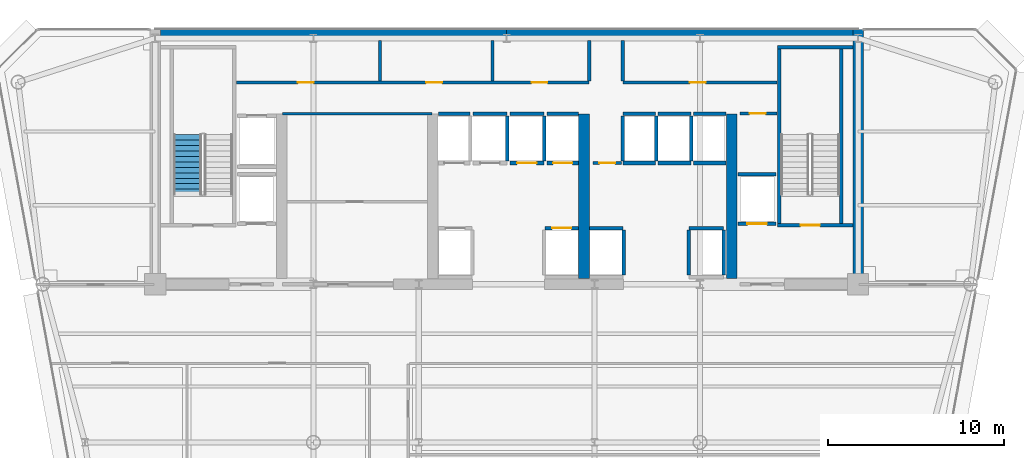
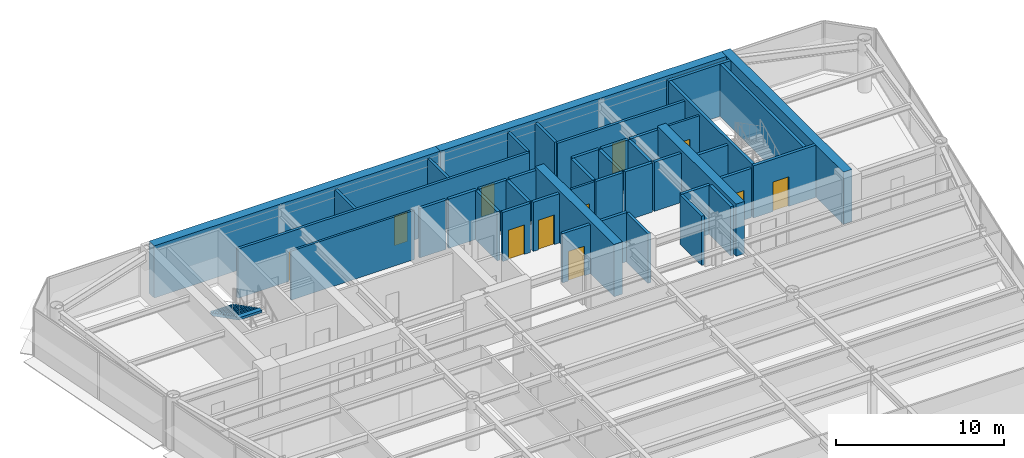
# One storey, part 11 of 16: 43 walls, 11 doors, 1 stair flight, 11 openings, 1 element without a shape of its own.
"""IFC4 building model written with IfcOpenShell, lengths in metres."""

from ifc_helpers import new_model, si_unit, direction, frame, frame_2d, origin, place, context, subcontext, project, spatial, polyline, rectangle, outline, extrude, source, transform, mapped, material, layer, layer_set, type_object, element, fill, aggregate, save


model = new_model("IFC4")

# Units and contexts
model_context = context("Model", 3, precision=1e-05, world=origin(), true_north=direction((0.0, 1.0)))
body_context = subcontext(model_context, "Body", "Model", "MODEL_VIEW")
ifc_project = project(units=[si_unit("LENGTHUNIT", "METRE"), si_unit("AREAUNIT", "SQUARE_METRE"), si_unit("VOLUMEUNIT", "CUBIC_METRE"), si_unit("PLANEANGLEUNIT", "RADIAN"), si_unit("MASSUNIT", "GRAM", prefix="KILO")], contexts=[model_context])

# Site, building, storey
site_placement = place(None, origin())
site = spatial("IfcSite", under=ifc_project, at=site_placement, CompositionType="ELEMENT")
building_placement = place(site_placement, origin())
building = spatial("IfcBuilding", under=site, at=building_placement, Name="Vaeldorn Concourse Tower", CompositionType="ELEMENT")
storey_placement = place(building_placement, frame((0.0, 0.0, 195.60009765625)))
storey = spatial("IfcBuildingStorey", under=building, at=storey_placement, Name="L50", CompositionType="ELEMENT", Elevation=195.60009765625)

# Walls
ifc_material_1 = material(Name="Concrete C50/60", Category="concrete")
ifc_layer_1 = layer(ifc_material_1, 0.60009765625)
ifc_layer_set_1 = layer_set([ifc_layer_1], Name="Concrete C50/60")
wall_type_1 = type_object("IfcWallType", Name="WL-CORE-600", PredefinedType="SHEAR", material=ifc_layer_set_1)
for number, where, z_axis, x_axis, name in (
    (1, (14.303955078125, 50.699951171875, 0.0), (0.0, 0.0, 1.0), (1.0, 0.0, 0.0), "Rear Core Shear Wall L50 N1"),
    (2, (34.001953125, 50.699951171875, 0.0), (0.0, 0.0, 1.0), (1.0, 0.0, 0.0), "Rear Core Shear Wall L50 N2"),
):
    element("IfcWall", number, at=place(storey_placement, frame(where, z_axis=z_axis, x_axis=x_axis)), inside=storey, type_object=wall_type_1, Name=name, PredefinedType="SHEAR", context=body_context, shape_type="SweptSolid", body=[
        extrude(rectangle(XDim=19.694091796875, YDim=0.60009765625, at=frame_2d((9.84716796875, 0.0))), origin(), (0.0, 0.0, 1.0), 3.7998046875),
    ])
wall_1_placement = place(storey_placement, frame((54.0, 36.5, 0.0), z_axis=(0.0, 0.0, 1.0), x_axis=(0.0, 1.0, 0.0)))
element("IfcWall", 3, at=wall_1_placement, inside=storey, type_object=wall_type_1, Name="Rear Core Shear Wall L50 E1", PredefinedType="SHEAR", context=body_context, shape_type="SweptSolid", body=[
    extrude(rectangle(XDim=14.5, YDim=0.60009765625, at=frame_2d((7.25, 0.0))), origin(), (0.0, 0.0, 1.0), 3.7998046875),
])
for number, where, z_axis, x_axis, name in (
    (4, (38.39990234375, 36.820068359375, 0.0), (0.0, 0.0, 1.0), (0.0, 1.0, 0.0), "Rear Core Shear Wall L50 M3"),
    (5, (46.800048828125, 36.820068359375, 0.0), (0.0, 0.0, 1.0), (0.0, 1.0, 0.0), "Rear Core Shear Wall L50 M4"),
):
    element("IfcWall", number, at=place(storey_placement, frame(where, z_axis=z_axis, x_axis=x_axis)), inside=storey, type_object=wall_type_1, Name=name, PredefinedType="SHEAR", context=body_context, shape_type="SweptSolid", body=[
        extrude(rectangle(XDim=9.3798828125, YDim=0.60009765625, at=frame_2d((4.68994140625, 0.0))), origin(), (0.0, 0.0, 1.0), 3.7998046875),
    ])
ifc_material_2 = material(Name="Gypsum Board Partition", Category="gypsum")
ifc_layer_2 = layer(ifc_material_2, 0.14990234375)
ifc_layer_set_2 = layer_set([ifc_layer_2], Name="Gypsum Board Partition")
wall_type_2 = type_object("IfcWallType", Name="WL-PART-150", PredefinedType="PARTITIONING", material=ifc_layer_set_2)
wall_2_placement = place(storey_placement, frame((21.25, 46.199951171875, 0.0), z_axis=(0.0, 0.0, 1.0), x_axis=(1.0, 0.0, 0.0)))
element("IfcWall", 6, at=wall_2_placement, inside=storey, type_object=wall_type_2, Name="Interior Wall CW-L50-R1N", PredefinedType="PARTITIONING", context=body_context, shape_type="SweptSolid", body=[
    extrude(rectangle(XDim=8.5, YDim=0.14990234375, at=frame_2d((4.25, 0.0))), origin(), (0.0, 0.0, 1.0), 3.579833984375),
])

# Wall, opening, door
wall_3_placement = place(storey_placement, frame((47.280029296875, 46.219970703125, 0.0), z_axis=(0.0, 0.0, 1.0), x_axis=(1.0, 0.0, 0.0)))
wall_3 = element("IfcWall", 7, at=wall_3_placement, inside=storey, type_object=wall_type_2, Name="Interior Wall CW-L50-CRSE-N", PredefinedType="PARTITIONING", context=body_context, shape_type="SweptSolid", body=[
    extrude(rectangle(XDim=2.099853515625, YDim=0.14990234375, at=frame_2d((1.0498046875, 0.0))), origin(), (0.0, 0.0, 1.0), 3.579833984375),
])
opening_1_placement = place(wall_3_placement, frame((0.550048828125, 0.0, 0.0)))
opening_1 = element("IfcOpeningElement", 8, at=opening_1_placement, cuts=wall_3, Name="Opening D-02", PredefinedType="OPENING", context=body_context, shape_type="SweptSolid", body=[
    extrude(rectangle(XDim=0.89990234375, YDim=2.10009765625, at=frame_2d((0.449951171875, 1.050048828125))), frame((0.0, 0.0849609375, 0.0), z_axis=(0.0, -1.0, 0.0), x_axis=(1.0, 0.0, 0.0)), (0.0, 0.0, 1.0), 0.169921875),
])
ifc_material_3 = material(Name="Fire-Rated Timber Leaf", Category="wood")
door_type_1 = type_object("IfcDoorType", Name="DR-FD30-900", OperationType="NOTDEFINED", PredefinedType="DOOR", material=ifc_material_3)
shared_shape_1 = source(origin(), body_context, "Body", "SweptSolid", [
    extrude(rectangle(XDim=0.89990234375, YDim=2.10009765625, at=frame_2d((0.449951171875, 1.050048828125))), frame((0.0, 0.02490234375, 0.0), z_axis=(0.0, -1.0, 0.0), x_axis=(1.0, 0.0, 0.0)), (0.0, 0.0, 1.0), 0.050048828125),
])
door_1_placement = place(opening_1_placement, origin())
door_1 = element("IfcDoor", 9, at=door_1_placement, inside=storey, type_object=door_type_1, Name="Interior Door DR-L50-CRSE", OperationType="SINGLE_SWING_RIGHT", OverallHeight=2.10009765625, OverallWidth=0.89990234375, PredefinedType="DOOR", context=body_context, shape_type="MappedRepresentation", body=[
    mapped(shared_shape_1, transform((0.0, 0.0, 0.0), scale=1.0)),
])
fill(opening_1, door_1)

wall_4_placement = place(storey_placement, frame((38.919921875, 43.39990234375, 0.0), z_axis=(0.0, 0.0, 1.0), x_axis=(1.0, 0.0, 0.0)))
wall_4 = element("IfcWall", 10, at=wall_4_placement, inside=storey, type_object=wall_type_2, Name="Interior Wall CW-L50-CCLINK", PredefinedType="PARTITIONING", context=body_context, shape_type="SweptSolid", body=[
    extrude(rectangle(XDim=1.60009765625, YDim=0.14990234375, at=frame_2d((0.800048828125, 0.0))), origin(), (0.0, 0.0, 1.0), 3.579833984375),
])
opening_2_placement = place(wall_4_placement, frame((0.35009765625, 0.0, 0.0)))
opening_2 = element("IfcOpeningElement", 11, at=opening_2_placement, cuts=wall_4, Name="Opening D-02", PredefinedType="OPENING", context=body_context, shape_type="SweptSolid", body=[
    extrude(rectangle(XDim=0.89990234375, YDim=2.10009765625, at=frame_2d((0.449951171875, 1.050048828125))), frame((0.0, 0.0849609375, 0.0), z_axis=(0.0, -1.0, 0.0), x_axis=(1.0, 0.0, 0.0)), (0.0, 0.0, 1.0), 0.169921875),
])
door_2_placement = place(opening_2_placement, origin())
door_2 = element("IfcDoor", 12, at=door_2_placement, inside=storey, type_object=door_type_1, Name="Interior Door DR-L50-CCLINK", OperationType="SINGLE_SWING_LEFT", OverallHeight=2.10009765625, OverallWidth=0.89990234375, PredefinedType="DOOR", context=body_context, shape_type="MappedRepresentation", body=[
    mapped(shared_shape_1, transform((0.0, 0.0, 0.0), scale=1.0)),
])
fill(opening_2, door_2)

# Wall, openings, doors
ifc_layer_3 = layer(ifc_material_2, 0.179931640625)
ifc_layer_set_3 = layer_set([ifc_layer_3], Name="Gypsum Board Partition")
wall_type_3 = type_object("IfcWallType", Name="WL-PLUMB-180", PredefinedType="PLUMBINGWALL", material=ifc_layer_set_3)
wall_5_placement = place(storey_placement, frame((18.6201171875, 47.97998046875, 0.0), z_axis=(0.0, 0.0, 1.0), x_axis=(1.0, 0.0, 0.0)))
wall_5 = element("IfcWall", 13, at=wall_5_placement, inside=storey, type_object=wall_type_3, Name="Interior Wall CW-L50-NS1W", PredefinedType="PLUMBINGWALL", context=body_context, shape_type="SweptSolid", body=[
    extrude(rectangle(XDim=20.059814453125, YDim=0.179931640625, at=frame_2d((10.02978515625, 0.0))), origin(), (0.0, 0.0, 1.0), 3.579833984375),
])
opening_3_placement = place(wall_5_placement, frame((3.5, 0.0, 0.0)))
opening_3 = element("IfcOpeningElement", 14, at=opening_3_placement, cuts=wall_5, Name="Opening D-03", PredefinedType="OPENING", context=body_context, shape_type="SweptSolid", body=[
    extrude(rectangle(XDim=0.89990234375, YDim=2.14990234375, at=frame_2d((0.449951171875, 1.074951171875))), frame((0.0, 0.10009765625, 0.0), z_axis=(0.0, -1.0, 0.0), x_axis=(1.0, 0.0, 0.0)), (0.0, 0.0, 1.0), 0.199951171875),
])
opening_4_placement = place(wall_5_placement, frame((10.800048828125, 0.0, 0.0)))
opening_4 = element("IfcOpeningElement", 15, at=opening_4_placement, cuts=wall_5, Name="Opening D-03", PredefinedType="OPENING", context=body_context, shape_type="SweptSolid", body=[
    extrude(rectangle(XDim=0.89990234375, YDim=2.14990234375, at=frame_2d((0.449951171875, 1.074951171875))), frame((0.0, 0.10009765625, 0.0), z_axis=(0.0, -1.0, 0.0), x_axis=(1.0, 0.0, 0.0)), (0.0, 0.0, 1.0), 0.199951171875),
])
opening_5_placement = place(wall_5_placement, frame((16.800048828125, 0.0, 0.0)))
opening_5 = element("IfcOpeningElement", 16, at=opening_5_placement, cuts=wall_5, Name="Opening D-03", PredefinedType="OPENING", context=body_context, shape_type="SweptSolid", body=[
    extrude(rectangle(XDim=0.89990234375, YDim=2.14990234375, at=frame_2d((0.449951171875, 1.074951171875))), frame((0.0, 0.10009765625, 0.0), z_axis=(0.0, -1.0, 0.0), x_axis=(1.0, 0.0, 0.0)), (0.0, 0.0, 1.0), 0.199951171875),
])
ifc_material_4 = material(Name="Acoustic Bronze-Framed Glass Door", Category="glass")
door_type_2 = type_object("IfcDoorType", Name="DR-INT-900", OperationType="NOTDEFINED", PredefinedType="DOOR", material=ifc_material_4)
shared_shape_2 = source(origin(), body_context, "Body", "SweptSolid", [
    extrude(rectangle(XDim=0.89990234375, YDim=2.14990234375, at=frame_2d((0.449951171875, 1.074951171875))), frame((0.0, 0.02490234375, 0.0), z_axis=(0.0, -1.0, 0.0), x_axis=(1.0, 0.0, 0.0)), (0.0, 0.0, 1.0), 0.050048828125),
])
door_3_placement = place(opening_3_placement, origin())
door_3 = element("IfcDoor", 17, at=door_3_placement, inside=storey, type_object=door_type_2, Name="Interior Door DR-L50-CS1", OperationType="SINGLE_SWING_LEFT", OverallHeight=2.14990234375, OverallWidth=0.89990234375, PredefinedType="DOOR", context=body_context, shape_type="MappedRepresentation", body=[
    mapped(shared_shape_2, transform((0.0, 0.0, 0.0), scale=1.0)),
])
fill(opening_3, door_3)
door_4_placement = place(opening_4_placement, origin())
door_4 = element("IfcDoor", 18, at=door_4_placement, inside=storey, type_object=door_type_2, Name="Interior Door DR-L50-CS2", OperationType="SINGLE_SWING_RIGHT", OverallHeight=2.14990234375, OverallWidth=0.89990234375, PredefinedType="DOOR", context=body_context, shape_type="MappedRepresentation", body=[
    mapped(shared_shape_2, transform((0.0, 0.0, 0.0), scale=1.0)),
])
fill(opening_4, door_4)
door_5_placement = place(opening_5_placement, origin())
door_5 = element("IfcDoor", 19, at=door_5_placement, inside=storey, type_object=door_type_2, Name="Interior Door DR-L50-CS3", OperationType="SINGLE_SWING_LEFT", OverallHeight=2.14990234375, OverallWidth=0.89990234375, PredefinedType="DOOR", context=body_context, shape_type="MappedRepresentation", body=[
    mapped(shared_shape_2, transform((0.0, 0.0, 0.0), scale=1.0)),
])
fill(opening_5, door_5)

# Wall, opening, door
wall_6_placement = place(storey_placement, frame((40.6201171875, 47.97998046875, 0.0), z_axis=(0.0, 0.0, 1.0), x_axis=(1.0, 0.0, 0.0)))
wall_6 = element("IfcWall", 20, at=wall_6_placement, inside=storey, type_object=wall_type_3, Name="Interior Wall CW-L50-NS1E", PredefinedType="PLUMBINGWALL", context=body_context, shape_type="SweptSolid", body=[
    extrude(rectangle(XDim=8.759765625, YDim=0.179931640625, at=frame_2d((4.3798828125, 0.0))), origin(), (0.0, 0.0, 1.0), 3.579833984375),
])
opening_6_placement = place(wall_6_placement, frame((3.800048828125, 0.0, 0.0)))
opening_6 = element("IfcOpeningElement", 21, at=opening_6_placement, cuts=wall_6, Name="Opening D-03", PredefinedType="OPENING", context=body_context, shape_type="SweptSolid", body=[
    extrude(rectangle(XDim=0.89990234375, YDim=2.14990234375, at=frame_2d((0.449951171875, 1.074951171875))), frame((0.0, 0.10009765625, 0.0), z_axis=(0.0, -1.0, 0.0), x_axis=(1.0, 0.0, 0.0)), (0.0, 0.0, 1.0), 0.199951171875),
])
door_6_placement = place(opening_6_placement, origin())
door_6 = element("IfcDoor", 22, at=door_6_placement, inside=storey, type_object=door_type_2, Name="Interior Door DR-L50-CS4", OperationType="SINGLE_SWING_RIGHT", OverallHeight=2.14990234375, OverallWidth=0.89990234375, PredefinedType="DOOR", context=body_context, shape_type="MappedRepresentation", body=[
    mapped(shared_shape_2, transform((0.0, 0.0, 0.0), scale=1.0)),
])
fill(opening_6, door_6)

# Walls
for number, where, z_axis, x_axis, name in (
    (23, (26.800048828125, 48.06005859375, 0.0), (0.0, 0.0, 1.0), (0.0, 1.0, 0.0), "Interior Wall CW-L50-NDIV1"),
    (24, (33.199951171875, 48.06005859375, 0.0), (0.0, 0.0, 1.0), (0.0, 1.0, 0.0), "Interior Wall CW-L50-NDIV2"),
    (25, (38.699951171875, 48.06005859375, 0.0), (0.0, 0.0, 1.0), (0.0, 1.0, 0.0), "Interior Wall CW-L50-NDIV3"),
    (26, (40.60009765625, 48.06005859375, 0.0), (0.0, 0.0, 1.0), (0.0, 1.0, 0.0), "Interior Wall CW-L50-NDIV4"),
):
    element("IfcWall", number, at=place(storey_placement, frame(where, z_axis=z_axis, x_axis=x_axis)), inside=storey, type_object=wall_type_3, Name=name, PredefinedType="PLUMBINGWALL", context=body_context, shape_type="SweptSolid", body=[
        extrude(rectangle(XDim=2.31982421875, YDim=0.179931640625, at=frame_2d((1.159912109375, 0.0))), origin(), (0.0, 0.0, 1.0), 3.579833984375),
    ])

# Wall, opening, door
ifc_layer_4 = layer(ifc_material_1, 0.199951171875)
ifc_layer_set_4 = layer_set([ifc_layer_4], Name="Concrete C50/60")
wall_type_4 = type_object("IfcWallType", Name="WL-SHAFT-200", PredefinedType="SOLIDWALL", material=ifc_layer_set_4)
wall_7_placement = place(storey_placement, frame((49.39990234375, 39.85009765625, 0.0), z_axis=(0.0, 0.0, 1.0), x_axis=(1.0, 0.0, 0.0)))
wall_7 = element("IfcWall", 27, at=wall_7_placement, inside=storey, type_object=wall_type_4, Name="Stair Shaft Wall CW-L50-ST-2-S", PredefinedType="SOLIDWALL", context=body_context, shape_type="SweptSolid", body=[
    extrude(rectangle(XDim=4.300048828125, YDim=0.199951171875, at=frame_2d((2.14990234375, 0.0))), origin(), (0.0, 0.0, 1.0), 3.7998046875),
])
opening_7_placement = place(wall_7_placement, frame((1.324951171875, 0.0, 0.0)))
opening_7 = element("IfcOpeningElement", 28, at=opening_7_placement, cuts=wall_7, Name="Opening D-01", PredefinedType="OPENING", context=body_context, shape_type="SweptSolid", body=[
    extrude(rectangle(XDim=1.10009765625, YDim=2.14990234375, at=frame_2d((0.550048828125, 1.074951171875))), frame((0.0, 0.10986328125, 0.0), z_axis=(0.0, -1.0, 0.0), x_axis=(1.0, 0.0, 0.0)), (0.0, 0.0, 1.0), 0.219970703125),
])
ifc_material_5 = material(Name="Fire-Rated Timber and Steel Leaf", Category="steel")
door_type_3 = type_object("IfcDoorType", Name="DR-FD60-1100", OperationType="NOTDEFINED", PredefinedType="DOOR", material=ifc_material_5)
shared_shape_3 = source(origin(), body_context, "Body", "SweptSolid", [
    extrude(rectangle(XDim=1.10009765625, YDim=2.14990234375, at=frame_2d((0.550048828125, 1.074951171875))), frame((0.0, 0.02490234375, 0.0), z_axis=(0.0, -1.0, 0.0), x_axis=(1.0, 0.0, 0.0)), (0.0, 0.0, 1.0), 0.050048828125),
])
door_7_placement = place(opening_7_placement, origin())
door_7 = element("IfcDoor", 29, at=door_7_placement, inside=storey, type_object=door_type_3, Name="Interior Door DR-L50-ST-2", OperationType="SINGLE_SWING_RIGHT", OverallHeight=2.14990234375, OverallWidth=1.10009765625, PredefinedType="DOOR", context=body_context, shape_type="MappedRepresentation", body=[
    mapped(shared_shape_3, transform((0.0, 0.0, 0.0), scale=1.0)),
])
fill(opening_7, door_7)

# Walls
wall_8_placement = place(storey_placement, frame((49.39990234375, 50.0, 0.0), z_axis=(0.0, 0.0, 1.0), x_axis=(1.0, 0.0, 0.0)))
element("IfcWall", 30, at=wall_8_placement, inside=storey, type_object=wall_type_4, Name="Stair Shaft Wall CW-L50-ST-2-N", PredefinedType="SOLIDWALL", context=body_context, shape_type="SweptSolid", body=[
    extrude(rectangle(XDim=4.300048828125, YDim=0.199951171875, at=frame_2d((2.14990234375, 0.0))), origin(), (0.0, 0.0, 1.0), 3.7998046875),
])
for number, where, z_axis, x_axis, name in (
    (31, (49.5, 39.9599609375, 0.0), (0.0, 0.0, 1.0), (0.0, 1.0, 0.0), "Stair Shaft Wall CW-L50-ST-2-W"),
    (32, (53.050048828125, 39.9599609375, 0.0), (0.0, 0.0, 1.0), (0.0, 1.0, 0.0), "Stair Shaft Wall CW-L50-ST-2-E"),
):
    element("IfcWall", number, at=place(storey_placement, frame(where, z_axis=z_axis, x_axis=x_axis)), inside=storey, type_object=wall_type_4, Name=name, PredefinedType="SOLIDWALL", context=body_context, shape_type="SweptSolid", body=[
        extrude(rectangle(XDim=9.929931640625, YDim=0.199951171875, at=frame_2d((4.96484375, 0.0))), origin(), (0.0, 0.0, 1.0), 3.7998046875),
    ])

# Wall, opening, door
wall_9_placement = place(storey_placement, frame((36.169921875, 39.699951171875, 0.0), z_axis=(0.0, 0.0, 1.0), x_axis=(1.0, 0.0, 0.0)))
wall_9 = element("IfcWall", 33, at=wall_9_placement, inside=storey, type_object=wall_type_4, Name="Interior Wall CW-L50-LF-LF-08", PredefinedType="SOLIDWALL", context=body_context, shape_type="SweptSolid", body=[
    extrude(rectangle(XDim=1.920166015625, YDim=0.199951171875, at=frame_2d((0.9599609375, 0.0))), origin(), (0.0, 0.0, 1.0), 3.579833984375),
])
opening_8_placement = place(wall_9_placement, frame((0.409912109375, 0.0, 0.0)))
opening_8 = element("IfcOpeningElement", 34, at=opening_8_placement, cuts=wall_9, Name="Opening LD-1", PredefinedType="OPENING", context=body_context, shape_type="SweptSolid", body=[
    extrude(rectangle(XDim=1.10009765625, YDim=2.14990234375, at=frame_2d((0.550048828125, 1.074951171875))), frame((0.0, 0.10986328125, 0.0), z_axis=(0.0, -1.0, 0.0), x_axis=(1.0, 0.0, 0.0)), (0.0, 0.0, 1.0), 0.219970703125),
])
ifc_material_6 = material(Name="Anodised Bronze Aluminium", Category="aluminium")
door_type_4 = type_object("IfcDoorType", Name="DR-LIFT-SLIDE-1100", OperationType="DOUBLE_DOOR_SLIDING", PredefinedType="DOOR", material=ifc_material_6)
door_8_placement = place(opening_8_placement, origin())
door_8 = element("IfcDoor", 35, at=door_8_placement, inside=storey, type_object=door_type_4, Name="Lift Landing Door LD-L50-LF-08", OperationType="DOUBLE_DOOR_SLIDING", OverallHeight=2.14990234375, OverallWidth=1.10009765625, PredefinedType="DOOR", context=body_context, shape_type="MappedRepresentation", body=[
    mapped(shared_shape_3, transform((0.0, 0.0, 0.0), scale=1.0)),
])
fill(opening_8, door_8)

# Walls
wall_10_placement = place(storey_placement, frame((30.110107421875, 46.199951171875, 0.0), z_axis=(0.0, 0.0, 1.0), x_axis=(1.0, 0.0, 0.0)))
element("IfcWall", 36, at=wall_10_placement, inside=storey, type_object=wall_type_4, Name="Interior Wall CW-L50-LFB-LF-09", PredefinedType="SOLIDWALL", context=body_context, shape_type="SweptSolid", body=[
    extrude(rectangle(XDim=1.7998046875, YDim=0.199951171875, at=frame_2d((0.89990234375, 0.0))), origin(), (0.0, 0.0, 1.0), 3.579833984375),
])
wall_11_placement = place(storey_placement, frame((32.090087890625, 46.199951171875, 0.0), z_axis=(0.0, 0.0, 1.0), x_axis=(1.0, 0.0, 0.0)))
element("IfcWall", 37, at=wall_11_placement, inside=storey, type_object=wall_type_4, Name="Interior Wall CW-L50-LFB-LF-10", PredefinedType="SOLIDWALL", context=body_context, shape_type="SweptSolid", body=[
    extrude(rectangle(XDim=1.919921875, YDim=0.199951171875, at=frame_2d((0.9599609375, 0.0))), origin(), (0.0, 0.0, 1.0), 3.579833984375),
])
wall_12_placement = place(storey_placement, frame((34.030029296875, 43.52001953125, 0.0), z_axis=(0.0, 0.0, 1.0), x_axis=(0.0, 1.0, 0.0)))
element("IfcWall", 38, at=wall_12_placement, inside=storey, type_object=wall_type_4, Name="Interior Wall CW-L50-LFE-LF-10", PredefinedType="SOLIDWALL", context=body_context, shape_type="SweptSolid", body=[
    extrude(rectangle(XDim=2.56005859375, YDim=0.199951171875, at=frame_2d((1.280029296875, 0.0))), origin(), (0.0, 0.0, 1.0), 3.579833984375),
])

# Wall, opening, door
wall_13_placement = place(storey_placement, frame((34.18994140625, 43.39990234375, 0.0), z_axis=(0.0, 0.0, 1.0), x_axis=(1.0, 0.0, 0.0)))
wall_13 = element("IfcWall", 39, at=wall_13_placement, inside=storey, type_object=wall_type_4, Name="Interior Wall CW-L50-LF-LF-11", PredefinedType="SOLIDWALL", context=body_context, shape_type="SweptSolid", body=[
    extrude(rectangle(XDim=1.920166015625, YDim=0.199951171875, at=frame_2d((0.9599609375, 0.0))), origin(), (0.0, 0.0, 1.0), 3.579833984375),
])
opening_9_placement = place(wall_13_placement, frame((0.409912109375, 0.0, 0.0)))
opening_9 = element("IfcOpeningElement", 40, at=opening_9_placement, cuts=wall_13, Name="Opening LD-1", PredefinedType="OPENING", context=body_context, shape_type="SweptSolid", body=[
    extrude(rectangle(XDim=1.10009765625, YDim=2.14990234375, at=frame_2d((0.550048828125, 1.074951171875))), frame((0.0, 0.10986328125, 0.0), z_axis=(0.0, -1.0, 0.0), x_axis=(1.0, 0.0, 0.0)), (0.0, 0.0, 1.0), 0.219970703125),
])
door_9_placement = place(opening_9_placement, origin())
door_9 = element("IfcDoor", 41, at=door_9_placement, inside=storey, type_object=door_type_4, Name="Lift Landing Door LD-L50-LF-11", OperationType="DOUBLE_DOOR_SLIDING", OverallHeight=2.14990234375, OverallWidth=1.10009765625, PredefinedType="DOOR", context=body_context, shape_type="MappedRepresentation", body=[
    mapped(shared_shape_3, transform((0.0, 0.0, 0.0), scale=1.0)),
])
fill(opening_9, door_9)

# Walls
wall_14_placement = place(storey_placement, frame((34.18994140625, 46.199951171875, 0.0), z_axis=(0.0, 0.0, 1.0), x_axis=(1.0, 0.0, 0.0)))
element("IfcWall", 42, at=wall_14_placement, inside=storey, type_object=wall_type_4, Name="Interior Wall CW-L50-LFB-LF-11", PredefinedType="SOLIDWALL", context=body_context, shape_type="SweptSolid", body=[
    extrude(rectangle(XDim=1.920166015625, YDim=0.199951171875, at=frame_2d((0.9599609375, 0.0))), origin(), (0.0, 0.0, 1.0), 3.579833984375),
])
wall_15_placement = place(storey_placement, frame((36.1298828125, 43.52001953125, 0.0), z_axis=(0.0, 0.0, 1.0), x_axis=(0.0, 1.0, 0.0)))
element("IfcWall", 43, at=wall_15_placement, inside=storey, type_object=wall_type_4, Name="Interior Wall CW-L50-LFE-LF-11", PredefinedType="SOLIDWALL", context=body_context, shape_type="SweptSolid", body=[
    extrude(rectangle(XDim=2.56005859375, YDim=0.199951171875, at=frame_2d((1.280029296875, 0.0))), origin(), (0.0, 0.0, 1.0), 3.579833984375),
])

# Wall, opening, door
wall_16_placement = place(storey_placement, frame((36.2900390625, 43.39990234375, 0.0), z_axis=(0.0, 0.0, 1.0), x_axis=(1.0, 0.0, 0.0)))
wall_16 = element("IfcWall", 44, at=wall_16_placement, inside=storey, type_object=wall_type_4, Name="Interior Wall CW-L50-LF-LF-12", PredefinedType="SOLIDWALL", context=body_context, shape_type="SweptSolid", body=[
    extrude(rectangle(XDim=1.800048828125, YDim=0.199951171875, at=frame_2d((0.89990234375, 0.0))), origin(), (0.0, 0.0, 1.0), 3.579833984375),
])
opening_10_placement = place(wall_16_placement, frame((0.35009765625, 0.0, 0.0)))
opening_10 = element("IfcOpeningElement", 45, at=opening_10_placement, cuts=wall_16, Name="Opening LD-1", PredefinedType="OPENING", context=body_context, shape_type="SweptSolid", body=[
    extrude(rectangle(XDim=1.10009765625, YDim=2.14990234375, at=frame_2d((0.550048828125, 1.074951171875))), frame((0.0, 0.10986328125, 0.0), z_axis=(0.0, -1.0, 0.0), x_axis=(1.0, 0.0, 0.0)), (0.0, 0.0, 1.0), 0.219970703125),
])
door_10_placement = place(opening_10_placement, origin())
door_10 = element("IfcDoor", 46, at=door_10_placement, inside=storey, type_object=door_type_4, Name="Lift Landing Door LD-L50-LF-12", OperationType="DOUBLE_DOOR_SLIDING", OverallHeight=2.14990234375, OverallWidth=1.10009765625, PredefinedType="DOOR", context=body_context, shape_type="MappedRepresentation", body=[
    mapped(shared_shape_3, transform((0.0, 0.0, 0.0), scale=1.0)),
])
fill(opening_10, door_10)

# Walls
wall_17_placement = place(storey_placement, frame((36.2900390625, 46.199951171875, 0.0), z_axis=(0.0, 0.0, 1.0), x_axis=(1.0, 0.0, 0.0)))
element("IfcWall", 47, at=wall_17_placement, inside=storey, type_object=wall_type_4, Name="Interior Wall CW-L50-LFB-LF-12", PredefinedType="SOLIDWALL", context=body_context, shape_type="SweptSolid", body=[
    extrude(rectangle(XDim=1.800048828125, YDim=0.199951171875, at=frame_2d((0.89990234375, 0.0))), origin(), (0.0, 0.0, 1.0), 3.579833984375),
])
wall_18_placement = place(storey_placement, frame((38.7099609375, 39.699951171875, 0.0), z_axis=(0.0, 0.0, 1.0), x_axis=(1.0, 0.0, 0.0)))
element("IfcWall", 48, at=wall_18_placement, inside=storey, type_object=wall_type_4, Name="Interior Wall CW-L50-LF-LF-13", PredefinedType="SOLIDWALL", context=body_context, shape_type="SweptSolid", body=[
    extrude(rectangle(XDim=1.919921875, YDim=0.199951171875, at=frame_2d((0.9599609375, 0.0))), origin(), (0.0, 0.0, 1.0), 3.579833984375),
])
wall_19_placement = place(storey_placement, frame((40.64990234375, 37.02001953125, 0.0), z_axis=(0.0, 0.0, 1.0), x_axis=(0.0, 1.0, 0.0)))
element("IfcWall", 49, at=wall_19_placement, inside=storey, type_object=wall_type_4, Name="Interior Wall CW-L50-LFE-LF-13", PredefinedType="SOLIDWALL", context=body_context, shape_type="SweptSolid", body=[
    extrude(rectangle(XDim=2.56005859375, YDim=0.199951171875, at=frame_2d((1.280029296875, 0.0))), origin(), (0.0, 0.0, 1.0), 3.579833984375),
])
wall_20_placement = place(storey_placement, frame((44.3701171875, 39.699951171875, 0.0), z_axis=(0.0, 0.0, 1.0), x_axis=(1.0, 0.0, 0.0)))
element("IfcWall", 50, at=wall_20_placement, inside=storey, type_object=wall_type_4, Name="Interior Wall CW-L50-LF-LF-14", PredefinedType="SOLIDWALL", context=body_context, shape_type="SweptSolid", body=[
    extrude(rectangle(XDim=1.9599609375, YDim=0.199951171875, at=frame_2d((0.97998046875, 0.0))), origin(), (0.0, 0.0, 1.0), 3.579833984375),
])
for number, where, z_axis, x_axis, name in (
    (51, (44.35009765625, 37.02001953125, 0.0), (0.0, 0.0, 1.0), (0.0, 1.0, 0.0), "Interior Wall CW-L50-LFW-LF-14"),
    (52, (46.35009765625, 37.02001953125, 0.0), (0.0, 0.0, 1.0), (0.0, 1.0, 0.0), "Interior Wall CW-L50-LFE-LF-14"),
):
    element("IfcWall", number, at=place(storey_placement, frame(where, z_axis=z_axis, x_axis=x_axis)), inside=storey, type_object=wall_type_4, Name=name, PredefinedType="SOLIDWALL", context=body_context, shape_type="SweptSolid", body=[
        extrude(rectangle(XDim=2.56005859375, YDim=0.199951171875, at=frame_2d((1.280029296875, 0.0))), origin(), (0.0, 0.0, 1.0), 3.579833984375),
    ])
for number, where, z_axis, x_axis, name in (
    (53, (40.6201171875, 43.39990234375, 0.0), (0.0, 0.0, 1.0), (1.0, 0.0, 0.0), "Interior Wall CW-L50-LF-LF-15"),
    (54, (40.6201171875, 46.199951171875, 0.0), (0.0, 0.0, 1.0), (1.0, 0.0, 0.0), "Interior Wall CW-L50-LFB-LF-15"),
):
    element("IfcWall", number, at=place(storey_placement, frame(where, z_axis=z_axis, x_axis=x_axis)), inside=storey, type_object=wall_type_4, Name=name, PredefinedType="SOLIDWALL", context=body_context, shape_type="SweptSolid", body=[
        extrude(rectangle(XDim=1.85986328125, YDim=0.199951171875, at=frame_2d((0.929931640625, 0.0))), origin(), (0.0, 0.0, 1.0), 3.579833984375),
    ])
for number, where, z_axis, x_axis, name in (
    (55, (40.60009765625, 43.52001953125, 0.0), (0.0, 0.0, 1.0), (0.0, 1.0, 0.0), "Interior Wall CW-L50-LFW-LF-15"),
    (56, (42.5, 43.52001953125, 0.0), (0.0, 0.0, 1.0), (0.0, 1.0, 0.0), "Interior Wall CW-L50-LFE-LF-15"),
):
    element("IfcWall", number, at=place(storey_placement, frame(where, z_axis=z_axis, x_axis=x_axis)), inside=storey, type_object=wall_type_4, Name=name, PredefinedType="SOLIDWALL", context=body_context, shape_type="SweptSolid", body=[
        extrude(rectangle(XDim=2.56005859375, YDim=0.199951171875, at=frame_2d((1.280029296875, 0.0))), origin(), (0.0, 0.0, 1.0), 3.579833984375),
    ])
for number, where, z_axis, x_axis, name in (
    (57, (42.6201171875, 43.39990234375, 0.0), (0.0, 0.0, 1.0), (1.0, 0.0, 0.0), "Interior Wall CW-L50-LF-LF-16"),
    (58, (42.6201171875, 46.199951171875, 0.0), (0.0, 0.0, 1.0), (1.0, 0.0, 0.0), "Interior Wall CW-L50-LFB-LF-16"),
):
    element("IfcWall", number, at=place(storey_placement, frame(where, z_axis=z_axis, x_axis=x_axis)), inside=storey, type_object=wall_type_4, Name=name, PredefinedType="SOLIDWALL", context=body_context, shape_type="SweptSolid", body=[
        extrude(rectangle(XDim=1.85986328125, YDim=0.199951171875, at=frame_2d((0.929931640625, 0.0))), origin(), (0.0, 0.0, 1.0), 3.579833984375),
    ])
wall_21_placement = place(storey_placement, frame((44.5, 43.52001953125, 0.0), z_axis=(0.0, 0.0, 1.0), x_axis=(0.0, 1.0, 0.0)))
element("IfcWall", 59, at=wall_21_placement, inside=storey, type_object=wall_type_4, Name="Interior Wall CW-L50-LFE-LF-16", PredefinedType="SOLIDWALL", context=body_context, shape_type="SweptSolid", body=[
    extrude(rectangle(XDim=2.56005859375, YDim=0.199951171875, at=frame_2d((1.280029296875, 0.0))), origin(), (0.0, 0.0, 1.0), 3.579833984375),
])
for number, where, z_axis, x_axis, name in (
    (60, (44.6201171875, 43.39990234375, 0.0), (0.0, 0.0, 1.0), (1.0, 0.0, 0.0), "Interior Wall CW-L50-LF-LF-17"),
    (61, (44.6201171875, 46.199951171875, 0.0), (0.0, 0.0, 1.0), (1.0, 0.0, 0.0), "Interior Wall CW-L50-LFB-LF-17"),
):
    element("IfcWall", number, at=place(storey_placement, frame(where, z_axis=z_axis, x_axis=x_axis)), inside=storey, type_object=wall_type_4, Name=name, PredefinedType="SOLIDWALL", context=body_context, shape_type="SweptSolid", body=[
        extrude(rectangle(XDim=1.85986328125, YDim=0.199951171875, at=frame_2d((0.929931640625, 0.0))), origin(), (0.0, 0.0, 1.0), 3.579833984375),
    ])

# Wall, opening, door
wall_22_placement = place(storey_placement, frame((47.169921875, 39.949951171875, 0.0), z_axis=(0.0, 0.0, 1.0), x_axis=(1.0, 0.0, 0.0)))
wall_22 = element("IfcWall", 62, at=wall_22_placement, inside=storey, type_object=wall_type_4, Name="Interior Wall CW-L50-LF-LF-FF2", PredefinedType="SOLIDWALL", context=body_context, shape_type="SweptSolid", body=[
    extrude(rectangle(XDim=2.16015625, YDim=0.199951171875, at=frame_2d((1.080078125, 0.0))), origin(), (0.0, 0.0, 1.0), 3.579833984375),
])
opening_11_placement = place(wall_22_placement, frame((0.530029296875, 0.0, 0.0)))
opening_11 = element("IfcOpeningElement", 63, at=opening_11_placement, cuts=wall_22, Name="Opening LD-1", PredefinedType="OPENING", context=body_context, shape_type="SweptSolid", body=[
    extrude(rectangle(XDim=1.10009765625, YDim=2.14990234375, at=frame_2d((0.550048828125, 1.074951171875))), frame((0.0, 0.10986328125, 0.0), z_axis=(0.0, -1.0, 0.0), x_axis=(1.0, 0.0, 0.0)), (0.0, 0.0, 1.0), 0.219970703125),
])
door_11_placement = place(opening_11_placement, origin())
door_11 = element("IfcDoor", 64, at=door_11_placement, inside=storey, type_object=door_type_4, Name="Lift Landing Door LD-L50-LF-FF2", OperationType="DOUBLE_DOOR_SLIDING", OverallHeight=2.14990234375, OverallWidth=1.10009765625, PredefinedType="DOOR", context=body_context, shape_type="MappedRepresentation", body=[
    mapped(shared_shape_3, transform((0.0, 0.0, 0.0), scale=1.0)),
])
fill(opening_11, door_11)

# Wall
wall_23_placement = place(storey_placement, frame((47.169921875, 42.75, 0.0), z_axis=(0.0, 0.0, 1.0), x_axis=(1.0, 0.0, 0.0)))
element("IfcWall", 65, at=wall_23_placement, inside=storey, type_object=wall_type_4, Name="Interior Wall CW-L50-LFB-LF-FF2", PredefinedType="SOLIDWALL", context=body_context, shape_type="SweptSolid", body=[
    extrude(rectangle(XDim=2.16015625, YDim=0.199951171875, at=frame_2d((1.080078125, 0.0))), origin(), (0.0, 0.0, 1.0), 3.579833984375),
])

# Stair, stair flight
ifc_material_7 = material(Name="Precast concrete C40/50", Category="concrete")
stair_type = type_object("IfcStairType", Name="STR-DOG-24x158", PredefinedType="HALF_TURN_STAIR", material=ifc_material_7)
stair_placement = place(storey_placement, origin())
stair = element("IfcStair", 66, at=stair_placement, inside=storey, type_object=stair_type, Name="L50 West Core Exit Stair ST-1", PredefinedType="HALF_TURN_STAIR")
stair_flight_type = type_object("IfcStairFlightType", Name="STF-STR-12x158", PredefinedType="STRAIGHT", material=ifc_material_7)
stair_flight_placement = place(storey_placement, frame((15.85009765625, 45.010009765625, 1.89990234375), z_axis=(0.0, 0.0, 1.0), x_axis=(0.0, -1.0, 0.0)))
stair_flight = element("IfcStairFlight", 67, at=stair_flight_placement, type_object=stair_flight_type, Name="ST-1 flight 2", NumberOfRisers=12, NumberOfTreads=11, PredefinedType="STRAIGHT", RiserHeight=0.158333333, TreadLength=0.31, context=body_context, shape_type="SweptSolid", body=[
    extrude(outline(polyline([(0.0, 0.0), (0.0, 0.158447265625), (0.31005859375, 0.158447265625), (0.31005859375, 0.316650390625), (0.6201171875, 0.316650390625), (0.6201171875, 0.47509765625), (0.929931640625, 0.47509765625), (0.929931640625, 0.63330078125), (1.239990234375, 0.63330078125), (1.239990234375, 0.791748046875), (1.550048828125, 0.791748046875), (1.550048828125, 0.949951171875), (1.860107421875, 0.949951171875), (1.860107421875, 1.1083984375), (2.169921875, 1.1083984375), (2.169921875, 1.2666015625), (2.47998046875, 1.2666015625), (2.47998046875, 1.425048828125), (2.7900390625, 1.425048828125), (2.7900390625, 1.583251953125), (3.10009765625, 1.583251953125), (3.10009765625, 1.74169921875), (3.409912109375, 1.74169921875), (3.409912109375, 1.89990234375), (3.409912109375, 1.5732421875), (0.32958984375, 0.0), (0.0, 0.0)])), frame((0.0, 0.800048828125, 0.0), z_axis=(0.0, -1.0, 0.0), x_axis=(1.0, 0.0, 0.0)), (0.0, 0.0, 1.0), 1.60009765625),
])
aggregate(stair, [stair_flight])

save(model, "model.ifc")
